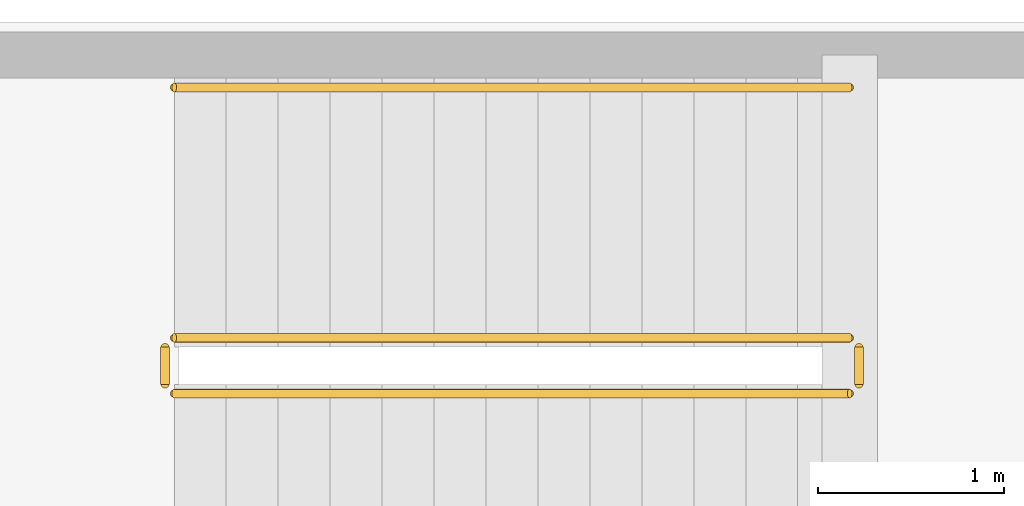
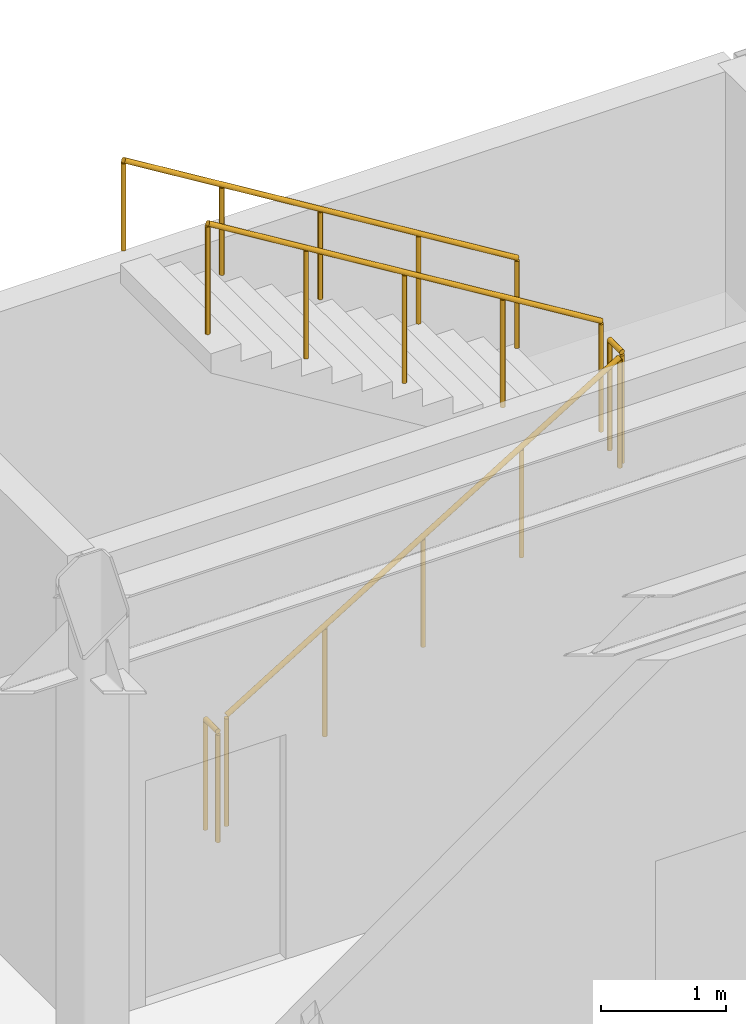
# One storey, part 165 of 172: 5 railings.
"""IFC4 building model written with IfcOpenShell, lengths in metres."""

from ifc_helpers import new_model, si_unit, direction, frame, origin, origin_2d, place, context, subcontext, project, spatial, circle, extrude, material, type_object, element, save


model = new_model("IFC4")

# Units and contexts
model_context = context("Model", 3, precision=1e-05, world=origin(), true_north=direction((0.0, 1.0)))
body_context = subcontext(model_context, "Body", "Model", "MODEL_VIEW")
ifc_project = project(units=[si_unit("LENGTHUNIT", "METRE"), si_unit("AREAUNIT", "SQUARE_METRE"), si_unit("VOLUMEUNIT", "CUBIC_METRE"), si_unit("PLANEANGLEUNIT", "RADIAN"), si_unit("MASSUNIT", "GRAM", prefix="KILO")], contexts=[model_context])

# Site, building, storey
site_placement = place(None, origin())
site = spatial("IfcSite", under=ifc_project, at=site_placement, CompositionType="ELEMENT")
building_placement = place(site_placement, origin())
building = spatial("IfcBuilding", under=site, at=building_placement, Name="Kazehara Bluff Congress Hotel", CompositionType="ELEMENT")
storey_placement = place(building_placement, frame((0.0, 0.0, 5.39990234375)))
storey = spatial("IfcBuildingStorey", under=building, at=storey_placement, Name="L01", CompositionType="ELEMENT", Elevation=5.39990234375)

# Railings
ifc_material_1 = material(Name="Brushed stainless steel", Category="steel")
railing_type_1 = type_object("IfcRailingType", Name="TP-GRD-INT", PredefinedType="GUARDRAIL", material=ifc_material_1)
railing_1_placement = place(storey_placement, frame((86.89990234375, 112.0, 0.171630859375)))
element("IfcRailing", 1, at=railing_1_placement, inside=storey, type_object=railing_type_1, Name="L01 ST-07 stair guard 1", PredefinedType="GUARDRAIL", context=body_context, shape_type="SweptSolid", body=[
    extrude(circle(Radius=0.02392578125, at=origin_2d()), frame((0.0, 0.0, 1.076171875), z_axis=(0.852865859571, 0.0, 0.52213008492), x_axis=(0.0, 1.0, 0.0)), (0.0, 0.0, 1.0), 4.26806640625),
    extrude(circle(Radius=0.02099609375, at=origin_2d()), origin(), (0.0, 0.0, 1.0), 1.052001953125),
    extrude(circle(Radius=0.02099609375, at=origin_2d()), frame((0.91015625, 0.0, 0.55712890625)), (0.0, 0.0, 1.0), 1.052001953125),
    extrude(circle(Radius=0.02099609375, at=origin_2d()), frame((1.820068359375, 0.0, 1.1142578125)), (0.0, 0.0, 1.0), 1.052001953125),
    extrude(circle(Radius=0.02099609375, at=origin_2d()), frame((2.72998046875, 0.0, 1.67138671875)), (0.0, 0.0, 1.0), 1.052001953125),
    extrude(circle(Radius=0.02099609375, at=origin_2d()), frame((3.64013671875, 0.0, 2.228515625)), (0.0, 0.0, 1.0), 1.052001953125),
])
railing_2_placement = place(storey_placement, frame((90.590087890625, 112.050048828125, 2.400146484375)))
element("IfcRailing", 2, at=railing_2_placement, inside=storey, type_object=railing_type_1, Name="L01 ST-07 stair guard 2", PredefinedType="GUARDRAIL", context=body_context, shape_type="SweptSolid", body=[
    extrude(circle(Radius=0.02392578125, at=origin_2d()), frame((0.0, 0.0, 1.076171875), z_axis=(0.0, 1.0, 0.0), x_axis=(-1.0, 0.0, 0.0)), (0.0, 0.0, 1.0), 0.199951171875),
    extrude(circle(Radius=0.02099609375, at=origin_2d()), origin(), (0.0, 0.0, 1.0), 1.052001953125),
    extrude(circle(Radius=0.02099609375, at=origin_2d()), frame((0.0, 0.199951171875, 0.0)), (0.0, 0.0, 1.0), 1.052001953125),
])
railing_3_placement = place(storey_placement, frame((90.5400390625, 112.300048828125, 2.571533203125)))
element("IfcRailing", 3, at=railing_3_placement, inside=storey, type_object=railing_type_1, Name="L01 ST-07 stair guard 3", PredefinedType="GUARDRAIL", context=body_context, shape_type="SweptSolid", body=[
    extrude(circle(Radius=0.02392578125, at=origin_2d()), frame((0.0, 0.0, 1.076171875), z_axis=(-0.852865859571, 0.0, 0.52213008492), x_axis=(0.0, -1.0, 0.0)), (0.0, 0.0, 1.0), 4.26806640625),
    extrude(circle(Radius=0.02099609375, at=origin_2d()), origin(), (0.0, 0.0, 1.0), 1.052001953125),
    extrude(circle(Radius=0.02099609375, at=origin_2d()), frame((-0.91015625, 0.0, 0.55712890625)), (0.0, 0.0, 1.0), 1.052001953125),
    extrude(circle(Radius=0.02099609375, at=origin_2d()), frame((-1.820068359375, 0.0, 1.1142578125)), (0.0, 0.0, 1.0), 1.052001953125),
    extrude(circle(Radius=0.02099609375, at=origin_2d()), frame((-2.72998046875, 0.0, 1.67138671875)), (0.0, 0.0, 1.0), 1.052001953125),
    extrude(circle(Radius=0.02099609375, at=origin_2d()), frame((-3.64013671875, 0.0, 2.228515625)), (0.0, 0.0, 1.0), 1.052001953125),
])
railing_4_placement = place(storey_placement, frame((86.85009765625, 112.050048828125, 0.0)))
element("IfcRailing", 4, at=railing_4_placement, inside=storey, type_object=railing_type_1, Name="L01 ST-07 stair guard 4", PredefinedType="GUARDRAIL", context=body_context, shape_type="SweptSolid", body=[
    extrude(circle(Radius=0.02392578125, at=origin_2d()), frame((0.0, 0.0, 1.076171875), z_axis=(0.0, 1.0, 0.0), x_axis=(-1.0, 0.0, 0.0)), (0.0, 0.0, 1.0), 0.199951171875),
    extrude(circle(Radius=0.02099609375, at=origin_2d()), origin(), (0.0, 0.0, 1.0), 1.052001953125),
    extrude(circle(Radius=0.02099609375, at=origin_2d()), frame((0.0, 0.199951171875, 0.0)), (0.0, 0.0, 1.0), 1.052001953125),
])
ifc_material_2 = material(Name="Brushed stainless steel", Category="steel")
railing_type_2 = type_object("IfcRailingType", Name="TP-HR-INT", PredefinedType="HANDRAIL", material=ifc_material_2)
railing_5_placement = place(storey_placement, frame((90.5400390625, 113.64990234375, 2.571533203125)))
element("IfcRailing", 5, at=railing_5_placement, inside=storey, type_object=railing_type_2, Name="L01 ST-07 stair handrail 2", PredefinedType="HANDRAIL", context=body_context, shape_type="SweptSolid", body=[
    extrude(circle(Radius=0.02392578125, at=origin_2d()), frame((0.0, 0.0, 0.8759765625), z_axis=(-0.852865859571, 0.0, 0.52213008492), x_axis=(0.0, -1.0, 0.0)), (0.0, 0.0, 1.0), 4.26806640625),
    extrude(circle(Radius=0.02099609375, at=origin_2d()), origin(), (0.0, 0.0, 1.0), 0.851806640625),
    extrude(circle(Radius=0.02099609375, at=origin_2d()), frame((-0.91015625, 0.0, 0.55712890625)), (0.0, 0.0, 1.0), 0.851806640625),
    extrude(circle(Radius=0.02099609375, at=origin_2d()), frame((-1.820068359375, 0.0, 1.1142578125)), (0.0, 0.0, 1.0), 0.851806640625),
    extrude(circle(Radius=0.02099609375, at=origin_2d()), frame((-2.72998046875, 0.0, 1.67138671875)), (0.0, 0.0, 1.0), 0.851806640625),
    extrude(circle(Radius=0.02099609375, at=origin_2d()), frame((-3.64013671875, 0.0, 2.228515625)), (0.0, 0.0, 1.0), 0.851806640625),
])

save(model, "model.ifc")
